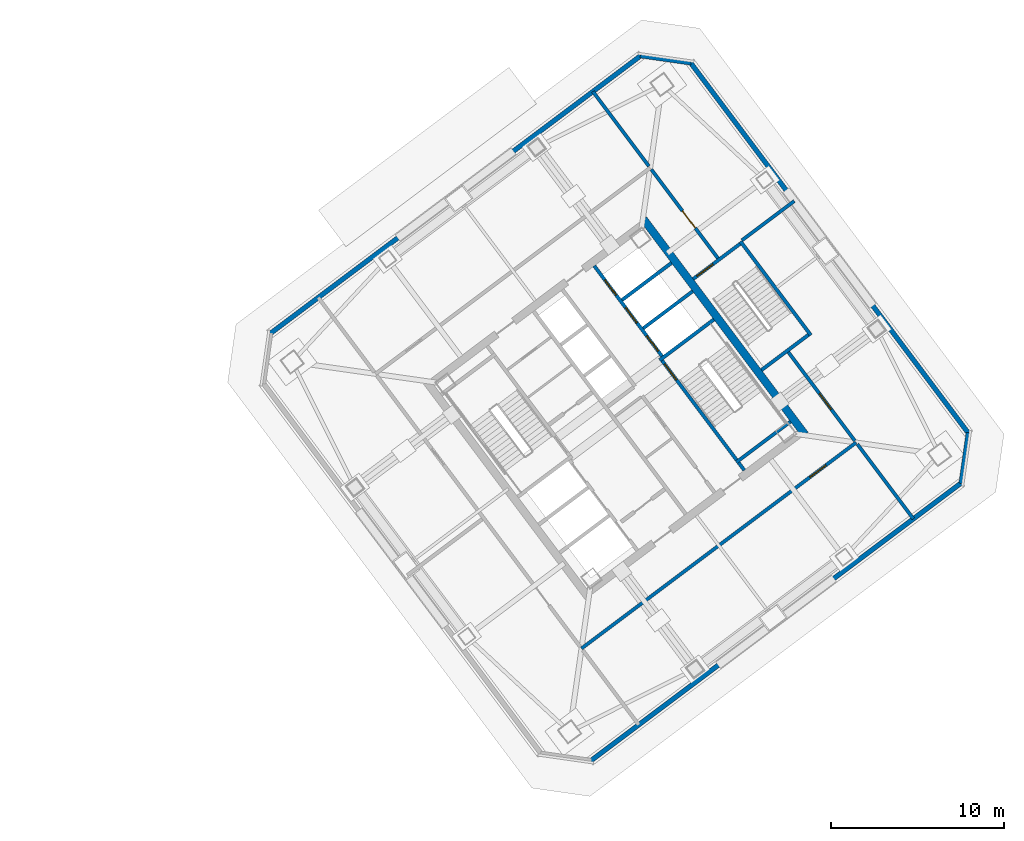
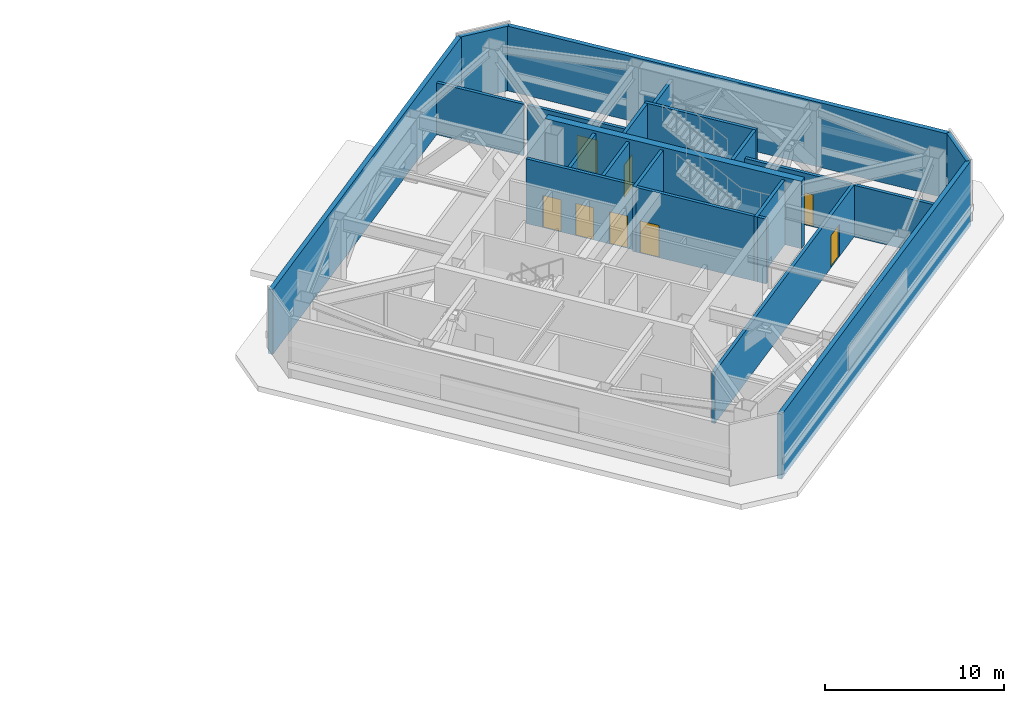
# One storey, part 8 of 15: 21 walls, 8 doors, 8 openings.
"""IFC4 building model written with IfcOpenShell, lengths in metres."""

from ifc_helpers import new_model, si_unit, direction, frame, frame_2d, origin, place, context, subcontext, project, spatial, rectangle, extrude, material, layer, layer_set, type_object, element, fill, save


model = new_model("IFC4")

# Units and contexts
model_context = context("Model", 3, precision=1e-05, world=origin(), true_north=direction((0.0, 1.0)))
body_context = subcontext(model_context, "Body", "Model", "MODEL_VIEW")
ifc_project = project(units=[si_unit("LENGTHUNIT", "METRE"), si_unit("AREAUNIT", "SQUARE_METRE"), si_unit("VOLUMEUNIT", "CUBIC_METRE"), si_unit("PLANEANGLEUNIT", "RADIAN"), si_unit("MASSUNIT", "GRAM", prefix="KILO")], contexts=[model_context])

# Site, building, storey
site_placement = place(None, origin())
site = spatial("IfcSite", under=ifc_project, at=site_placement, CompositionType="ELEMENT")
building_placement = place(site_placement, origin())
building = spatial("IfcBuilding", under=site, at=building_placement, Name="Tashvorn Skyway Center", CompositionType="ELEMENT")
storey_placement = place(building_placement, frame((0.0, 0.0, 199.60009765625)))
storey = spatial("IfcBuildingStorey", under=building, at=storey_placement, Name="L54", CompositionType="ELEMENT", Elevation=199.60009765625)

# Walls
ifc_material_1 = material(Name="Concrete C50/60", Category="concrete")
ifc_layer_1 = layer(ifc_material_1, 0.449951171875)
ifc_layer_set_1 = layer_set([ifc_layer_1], Name="Concrete C50/60")
wall_type_1 = type_object("IfcWallType", Name="WALL-CORE-450", PredefinedType="SHEAR", material=ifc_layer_set_1)
wall_1_placement = place(storey_placement, frame((115.60400390625, 42.952880859375, 0.0), z_axis=(0.0, 0.0, 1.0), x_axis=(0.600005007985, -0.799996243986, 0.0)))
element("IfcWall", 1, at=wall_1_placement, inside=storey, type_object=wall_type_1, Name="Tower 2 L54 East Core Shear Wall", PredefinedType="SHEAR", context=body_context, shape_type="SweptSolid", body=[
    extrude(rectangle(XDim=15.60009765625, YDim=0.449951171875, at=frame_2d((7.800048828125, 0.0))), origin(), (0.0, 0.0, 1.0), 4.599853515625),
])
ifc_material_2 = material(Name="Precast concrete C40/50", Category="concrete")
ifc_layer_2 = layer(ifc_material_2, 0.280029296875)
ifc_layer_set_2 = layer_set([ifc_layer_2], Name="Precast concrete C40/50")
wall_type_2 = type_object("IfcWallType", Name="WALL-EXT-280", PredefinedType="SOLIDWALL", material=ifc_layer_set_2)
for number, where, z_axis, x_axis, name in (
    (2, (134.072021484375, 27.7041015625, 0.0), (0.0, 0.0, 1.0), (-0.800001086674, -0.599998551099, 0.0), "Tower 2 L54 South Mechanical Belt Wall"),
    (3, (93.927978515625, 36.2958984375, 0.0), (0.0, 0.0, 1.0), (0.800001086674, 0.599998551099, 0.0), "Tower 2 L54 North Mechanical Belt Wall"),
    (4, (118.2958984375, 52.072021484375, 0.0), (0.0, 0.0, 1.0), (0.599998551099, -0.800001086674, 0.0), "Tower 2 L54 East Mechanical Belt Wall"),
):
    element("IfcWall", number, at=place(storey_placement, frame(where, z_axis=z_axis, x_axis=x_axis)), inside=storey, type_object=wall_type_2, Name=name, PredefinedType="SOLIDWALL", context=body_context, shape_type="SweptSolid", body=[
        extrude(rectangle(XDim=26.960205078125, YDim=0.280029296875, at=frame_2d((13.47998046875, 0.0))), origin(), (0.0, 0.0, 1.0), 4.419921875),
    ])
for number, where, z_axis, x_axis, name in (
    (5, (115.419921875, 52.43994140625, 0.0), (0.0, 0.0, 1.0), (0.989954425158, -0.14138683146, 0.0), "Tower 2 L54 NE Precast Chamfer Wall"),
    (6, (134.43994140625, 30.580078125, 0.0), (0.0, 0.0, 1.0), (-0.14138683146, -0.989954425158, 0.0), "Tower 2 L54 SE Precast Chamfer Wall"),
):
    element("IfcWall", number, at=place(storey_placement, frame(where, z_axis=z_axis, x_axis=x_axis)), inside=storey, type_object=wall_type_2, Name=name, PredefinedType="SOLIDWALL", context=body_context, shape_type="SweptSolid", body=[
        extrude(rectangle(XDim=2.969970703125, YDim=0.280029296875, at=frame_2d((1.48486328125, 0.0))), origin(), (0.0, 0.0, 1.0), 4.419921875),
    ])
ifc_material_3 = material(Name="Concrete C40/50", Category="concrete")
ifc_layer_3 = layer(ifc_material_3, 0.199951171875)
ifc_layer_set_3 = layer_set([ifc_layer_3], Name="Concrete C40/50")
wall_type_3 = type_object("IfcWallType", Name="WALL-SHAFT-200", PredefinedType="SOLIDWALL", material=ifc_layer_set_3)
for number, where, z_axis, x_axis, name in (
    (7, (115.590087890625, 36.6298828125, 0.0), (0.0, 0.0, 1.0), (0.799975449747, 0.600032732276, 0.0), "Tower 2 L54 High-Rise Shaft Divider"),
    (8, (114.360107421875, 38.27001953125, 0.0), (0.0, 0.0, 1.0), (0.800008183455, 0.599989088572, 0.0), "Tower 2 L54 High-Rise Shaft Divider"),
):
    element("IfcWall", number, at=place(storey_placement, frame(where, z_axis=z_axis, x_axis=x_axis)), inside=storey, type_object=wall_type_3, Name=name, PredefinedType="SOLIDWALL", context=body_context, shape_type="SweptSolid", body=[
        extrude(rectangle(XDim=3.580078125, YDim=0.199951171875, at=frame_2d((1.7900390625, 0.0))), origin(), (0.0, 0.0, 1.0), 4.419921875),
    ])

# Wall, opening, door
wall_2_placement = place(storey_placement, frame((127.929931640625, 30.010009765625, 0.0), z_axis=(0.0, 0.0, 1.0), x_axis=(-0.8, -0.6, 0.0)))
wall_2 = element("IfcWall", 9, at=wall_2_placement, inside=storey, type_object=wall_type_3, Name="Tower 2 L54 Plant Corridor South Wall", PredefinedType="SOLIDWALL", context=body_context, shape_type="SweptSolid", body=[
    extrude(rectangle(XDim=19.89990234375, YDim=0.199951171875, at=frame_2d((9.949951171875, 0.0))), origin(), (0.0, 0.0, 1.0), 3.531005859375),
])
opening_1_placement = place(wall_2_placement, frame((2.199951171875, 0.0, 0.0)))
opening_1 = element("IfcOpeningElement", 10, at=opening_1_placement, cuts=wall_2, Name="Opening D-ST-1150", PredefinedType="OPENING", context=body_context, shape_type="SweptSolid", body=[
    extrude(rectangle(XDim=1.14990234375, YDim=2.199951171875, at=frame_2d((0.574951171875, 1.10009765625))), frame((0.0, 0.10986328125, 0.0), z_axis=(0.0, -1.0, 0.0), x_axis=(1.0, 0.0, 0.0)), (0.0, 0.0, 1.0), 0.219970703125),
])
ifc_material_4 = material(Name="Hollow galvanized steel fire door assembly", Category="steel")
door_type_1 = type_object("IfcDoorType", Name="DOOR-STAIR-1150", OperationType="NOTDEFINED", PredefinedType="DOOR", material=ifc_material_4)
door_1_placement = place(opening_1_placement, origin())
door_1 = element("IfcDoor", 11, at=door_1_placement, inside=storey, type_object=door_type_1, Name="Tower 2 L54 Fan Plant Door", OperationType="SINGLE_SWING_LEFT", OverallHeight=2.199951171875, OverallWidth=1.14990234375, PredefinedType="DOOR", context=body_context, shape_type="SweptSolid", body=[
    extrude(rectangle(XDim=1.14990234375, YDim=2.199951171875, at=frame_2d((0.574951171875, 1.10009765625))), frame((0.0, 0.02490234375, 0.0), z_axis=(0.0, -1.0, 0.0), x_axis=(1.0, 0.0, 0.0)), (0.0, 0.0, 1.0), 0.050048828125),
])
fill(opening_1, door_1)

wall_3_placement = place(storey_placement, frame((116.06201171875, 45.833984375, 0.0), z_axis=(0.0, 0.0, 1.0), x_axis=(0.599987849816, -0.800009112494, 0.0)))
wall_3 = element("IfcWall", 12, at=wall_3_placement, inside=storey, type_object=wall_type_3, Name="Tower 2 L54 Plant Corridor East Wall", PredefinedType="SOLIDWALL", context=body_context, shape_type="SweptSolid", body=[
    extrude(rectangle(XDim=6.429931640625, YDim=0.199951171875, at=frame_2d((3.21484375, 0.0))), origin(), (0.0, 0.0, 1.0), 3.531005859375),
])
opening_2_placement = place(wall_3_placement, frame((3.0, 0.0, 0.0)))
opening_2 = element("IfcOpeningElement", 13, at=opening_2_placement, cuts=wall_3, Name="Opening D-FFL-1250", PredefinedType="OPENING", context=body_context, shape_type="SweptSolid", body=[
    extrude(rectangle(XDim=1.25, YDim=2.25, at=frame_2d((0.625, 1.125))), frame((0.0, 0.10986328125, 0.0), z_axis=(0.0, -1.0, 0.0), x_axis=(1.0, 0.0, 0.0)), (0.0, 0.0, 1.0), 0.219970703125),
])
door_type_2 = type_object("IfcDoorType", Name="DOOR-FFL-1250", OperationType="NOTDEFINED", PredefinedType="DOOR", material=ifc_material_4)
door_2_placement = place(opening_2_placement, origin())
door_2 = element("IfcDoor", 14, at=door_2_placement, inside=storey, type_object=door_type_2, Name="Tower 2 L54 East Refuge Area Door", OperationType="SINGLE_SWING_RIGHT", OverallHeight=2.25, OverallWidth=1.25, PredefinedType="DOOR", context=body_context, shape_type="SweptSolid", body=[
    extrude(rectangle(XDim=1.25, YDim=2.25, at=frame_2d((0.625, 1.125))), frame((0.0, 0.02490234375, 0.0), z_axis=(0.0, -1.0, 0.0), x_axis=(1.0, 0.0, 0.0)), (0.0, 0.0, 1.0), 0.050048828125),
])
fill(opening_2, door_2)

wall_4_placement = place(storey_placement, frame((124.0, 35.25, 0.0), z_axis=(0.0, 0.0, 1.0), x_axis=(0.599987849816, -0.800009112494, 0.0)))
wall_4 = element("IfcWall", 15, at=wall_4_placement, inside=storey, type_object=wall_type_3, Name="Tower 2 L54 Plant Corridor East Wall South", PredefinedType="SOLIDWALL", context=body_context, shape_type="SweptSolid", body=[
    extrude(rectangle(XDim=6.429931640625, YDim=0.199951171875, at=frame_2d((3.21484375, 0.0))), origin(), (0.0, 0.0, 1.0), 3.531005859375),
])
opening_3_placement = place(wall_4_placement, frame((3.0, 0.0, 0.0)))
opening_3 = element("IfcOpeningElement", 16, at=opening_3_placement, cuts=wall_4, Name="Opening D-ST-1150", PredefinedType="OPENING", context=body_context, shape_type="SweptSolid", body=[
    extrude(rectangle(XDim=1.14990234375, YDim=2.199951171875, at=frame_2d((0.574951171875, 1.10009765625))), frame((0.0, 0.10986328125, 0.0), z_axis=(0.0, -1.0, 0.0), x_axis=(1.0, 0.0, 0.0)), (0.0, 0.0, 1.0), 0.219970703125),
])
door_3_placement = place(opening_3_placement, origin())
door_3 = element("IfcDoor", 17, at=door_3_placement, inside=storey, type_object=door_type_1, Name="Tower 2 L54 Switchgear Plant Door", OperationType="SINGLE_SWING_LEFT", OverallHeight=2.199951171875, OverallWidth=1.14990234375, PredefinedType="DOOR", context=body_context, shape_type="SweptSolid", body=[
    extrude(rectangle(XDim=1.14990234375, YDim=2.199951171875, at=frame_2d((0.574951171875, 1.10009765625))), frame((0.0, 0.02490234375, 0.0), z_axis=(0.0, -1.0, 0.0), x_axis=(1.0, 0.0, 0.0)), (0.0, 0.0, 1.0), 0.050048828125),
])
fill(opening_3, door_3)

# Walls
wall_5_placement = place(storey_placement, frame((115.91796875, 46.02587890625, 0.0), z_axis=(0.0, 0.0, 1.0), x_axis=(-0.599971117961, 0.800021660715, 0.0)))
element("IfcWall", 18, at=wall_5_placement, inside=storey, type_object=wall_type_3, Name="Tower 2 L54 Plant Radial NE", PredefinedType="SOLIDWALL", context=body_context, shape_type="SweptSolid", body=[
    extrude(rectangle(XDim=5.409912109375, YDim=0.199951171875, at=frame_2d((2.705078125, 0.0))), origin(), (0.0, 0.0, 1.0), 3.531005859375),
])
wall_6_placement = place(storey_placement, frame((128.001953125, 29.9140625, 0.0), z_axis=(0.0, 0.0, 1.0), x_axis=(0.6, -0.8, 0.0)))
element("IfcWall", 19, at=wall_6_placement, inside=storey, type_object=wall_type_3, Name="Tower 2 L54 Plant Radial SE", PredefinedType="SOLIDWALL", context=body_context, shape_type="SweptSolid", body=[
    extrude(rectangle(XDim=5.41015625, YDim=0.199951171875, at=frame_2d((2.705078125, 0.0))), origin(), (0.0, 0.0, 1.0), 3.531005859375),
])
wall_7_placement = place(storey_placement, frame((121.303955078125, 41.72802734375, 0.0), z_axis=(0.0, 0.0, 1.0), x_axis=(0.8, 0.6, 0.0)))
element("IfcWall", 20, at=wall_7_placement, inside=storey, type_object=wall_type_3, Name="Tower 2 L54 Refuge East Fire Wall", PredefinedType="SOLIDWALL", context=body_context, shape_type="SweptSolid", body=[
    extrude(rectangle(XDim=3.800048828125, YDim=0.199951171875, at=frame_2d((1.89990234375, 0.0))), origin(), (0.0, 0.0, 1.0), 3.531005859375),
])

# Wall, opening, door
ifc_layer_4 = layer(ifc_material_3, 0.199951171875)
ifc_layer_set_4 = layer_set([ifc_layer_4], Name="Concrete C40/50")
wall_type_4 = type_object("IfcWallType", Name="WALL-STSHF-200", PredefinedType="SHEAR", material=ifc_layer_set_4)
wall_8_placement = place(storey_placement, frame((116.56005859375, 34.919921875, 0.0), z_axis=(0.0, 0.0, 1.0), x_axis=(0.59999041401, -0.800007189403, 0.0)))
wall_8 = element("IfcWall", 21, at=wall_8_placement, inside=storey, type_object=wall_type_4, Name="Tower 2 L54 Stair 2 Enclosure Wall", PredefinedType="SHEAR", context=body_context, shape_type="SweptSolid", body=[
    extrude(rectangle(XDim=8.14990234375, YDim=0.199951171875, at=frame_2d((4.074951171875, 0.0))), origin(), (0.0, 0.0, 1.0), 4.419921875),
])
opening_4_placement = place(wall_8_placement, frame((0.449951171875, 0.0, 0.0)))
opening_4 = element("IfcOpeningElement", 22, at=opening_4_placement, cuts=wall_8, Name="Opening D-ST-1150", PredefinedType="OPENING", context=body_context, shape_type="SweptSolid", body=[
    extrude(rectangle(XDim=1.14990234375, YDim=2.199951171875, at=frame_2d((0.574951171875, 1.10009765625))), frame((0.0, 0.10986328125, 0.0), z_axis=(0.0, -1.0, 0.0), x_axis=(1.0, 0.0, 0.0)), (0.0, 0.0, 1.0), 0.219970703125),
])
door_4_placement = place(opening_4_placement, origin())
door_4 = element("IfcDoor", 23, at=door_4_placement, inside=storey, type_object=door_type_1, Name="Tower 2 L54 Exit Stair 2 Door", OperationType="SINGLE_SWING_RIGHT", OverallHeight=2.199951171875, OverallWidth=1.14990234375, PredefinedType="DOOR", context=body_context, shape_type="SweptSolid", body=[
    extrude(rectangle(XDim=1.14990234375, YDim=2.199951171875, at=frame_2d((0.574951171875, 1.10009765625))), frame((0.0, 0.02490234375, 0.0), z_axis=(0.0, -1.0, 0.0), x_axis=(1.0, 0.0, 0.0)), (0.0, 0.0, 1.0), 0.050048828125),
])
fill(opening_4, door_4)

# Walls
for number, where, z_axis, x_axis, name in (
    (24, (116.5400390625, 34.780029296875, 0.0), (0.0, 0.0, 1.0), (0.800014909178, 0.599980120581, 0.0), "Tower 2 L54 Stair 2 North Wall"),
    (25, (120.97998046875, 28.860107421875, 0.0), (0.0, 0.0, 1.0), (0.800014909178, 0.599980120581, 0.0), "Tower 2 L54 Stair 2 South Wall"),
):
    element("IfcWall", number, at=place(storey_placement, frame(where, z_axis=z_axis, x_axis=x_axis)), inside=storey, type_object=wall_type_4, Name=name, PredefinedType="SHEAR", context=body_context, shape_type="SweptSolid", body=[
        extrude(rectangle(XDim=3.929931640625, YDim=0.199951171875, at=frame_2d((1.96484375, 0.0))), origin(), (0.0, 0.0, 1.0), 4.419921875),
    ])

# Wall, openings, doors
wall_9_placement = place(storey_placement, frame((112.75, 40.25, 0.0), z_axis=(0.0, 0.0, 1.0), x_axis=(0.599994036198, -0.800004472816, 0.0)))
wall_9 = element("IfcWall", 26, at=wall_9_placement, inside=storey, type_object=wall_type_4, Name="Tower 2 L54 High-Rise Lift Shaft Front Wall", PredefinedType="SHEAR", context=body_context, shape_type="SweptSolid", body=[
    extrude(rectangle(XDim=6.550048828125, YDim=0.199951171875, at=frame_2d((3.27490234375, 0.0))), origin(), (0.0, 0.0, 1.0), 4.419921875),
])
opening_5_placement = place(wall_9_placement, frame((5.074951171875, 0.0, 0.0)))
opening_5 = element("IfcOpeningElement", 27, at=opening_5_placement, cuts=wall_9, Name="Opening LD-HR-T2-1-L54", PredefinedType="OPENING", context=body_context, shape_type="SweptSolid", body=[
    extrude(rectangle(XDim=1.10009765625, YDim=2.199951171875, at=frame_2d((0.550048828125, 1.10009765625))), frame((0.0, 0.10986328125, 0.0), z_axis=(0.0, -1.0, 0.0), x_axis=(1.0, 0.0, 0.0)), (0.0, 0.0, 1.0), 0.219970703125),
])
opening_6_placement = place(wall_9_placement, frame((3.02490234375, 0.0, 0.0)))
opening_6 = element("IfcOpeningElement", 28, at=opening_6_placement, cuts=wall_9, Name="Opening LD-HR-T2-2-L54", PredefinedType="OPENING", context=body_context, shape_type="SweptSolid", body=[
    extrude(rectangle(XDim=1.10009765625, YDim=2.199951171875, at=frame_2d((0.550048828125, 1.10009765625))), frame((0.0, 0.10986328125, 0.0), z_axis=(0.0, -1.0, 0.0), x_axis=(1.0, 0.0, 0.0)), (0.0, 0.0, 1.0), 0.219970703125),
])
opening_7_placement = place(wall_9_placement, frame((1.02490234375, 0.0, 0.0)))
opening_7 = element("IfcOpeningElement", 29, at=opening_7_placement, cuts=wall_9, Name="Opening LD-HR-T2-3-L54", PredefinedType="OPENING", context=body_context, shape_type="SweptSolid", body=[
    extrude(rectangle(XDim=1.10009765625, YDim=2.199951171875, at=frame_2d((0.550048828125, 1.10009765625))), frame((0.0, 0.10986328125, 0.0), z_axis=(0.0, -1.0, 0.0), x_axis=(1.0, 0.0, 0.0)), (0.0, 0.0, 1.0), 0.219970703125),
])
ifc_material_5 = material(Name="Stainless steel landing door", Category="steel")
door_type_3 = type_object("IfcDoorType", Name="DOOR-LIFT-1100", OperationType="SLIDING_TO_LEFT", PredefinedType="DOOR", material=ifc_material_5)
door_5_placement = place(opening_5_placement, origin())
door_5 = element("IfcDoor", 30, at=door_5_placement, inside=storey, type_object=door_type_3, Name="Lift HR-T2-1 L54 Landing Door", OperationType="SLIDING_TO_LEFT", OverallHeight=2.199951171875, OverallWidth=1.10009765625, PredefinedType="DOOR", context=body_context, shape_type="SweptSolid", body=[
    extrude(rectangle(XDim=1.10009765625, YDim=2.199951171875, at=frame_2d((0.550048828125, 1.10009765625))), frame((0.0, 0.02490234375, 0.0), z_axis=(0.0, -1.0, 0.0), x_axis=(1.0, 0.0, 0.0)), (0.0, 0.0, 1.0), 0.050048828125),
])
fill(opening_5, door_5)
door_6_placement = place(opening_6_placement, origin())
door_6 = element("IfcDoor", 31, at=door_6_placement, inside=storey, type_object=door_type_3, Name="Lift HR-T2-2 L54 Landing Door", OperationType="SLIDING_TO_LEFT", OverallHeight=2.199951171875, OverallWidth=1.10009765625, PredefinedType="DOOR", context=body_context, shape_type="SweptSolid", body=[
    extrude(rectangle(XDim=1.10009765625, YDim=2.199951171875, at=frame_2d((0.550048828125, 1.10009765625))), frame((0.0, 0.02490234375, 0.0), z_axis=(0.0, -1.0, 0.0), x_axis=(1.0, 0.0, 0.0)), (0.0, 0.0, 1.0), 0.050048828125),
])
fill(opening_6, door_6)
door_7_placement = place(opening_7_placement, origin())
door_7 = element("IfcDoor", 32, at=door_7_placement, inside=storey, type_object=door_type_3, Name="Lift HR-T2-3 L54 Landing Door", OperationType="SLIDING_TO_LEFT", OverallHeight=2.199951171875, OverallWidth=1.10009765625, PredefinedType="DOOR", context=body_context, shape_type="SweptSolid", body=[
    extrude(rectangle(XDim=1.10009765625, YDim=2.199951171875, at=frame_2d((0.550048828125, 1.10009765625))), frame((0.0, 0.02490234375, 0.0), z_axis=(0.0, -1.0, 0.0), x_axis=(1.0, 0.0, 0.0)), (0.0, 0.0, 1.0), 0.050048828125),
])
fill(opening_7, door_7)

# Wall
wall_10_placement = place(storey_placement, frame((125.303955078125, 36.22802734375, 0.0), z_axis=(0.0, 0.0, 1.0), x_axis=(-0.59998851072, 0.800008616831, 0.0)))
element("IfcWall", 33, at=wall_10_placement, inside=storey, type_object=wall_type_4, Name="Tower 2 L54 Stair 3 Outer Wall", PredefinedType="SHEAR", context=body_context, shape_type="SweptSolid", body=[
    extrude(rectangle(XDim=6.7998046875, YDim=0.199951171875, at=frame_2d((3.39990234375, 0.0))), origin(), (0.0, 0.0, 1.0), 4.419921875),
])

# Wall, opening, door
wall_11_placement = place(storey_placement, frame((121.2041015625, 41.528076171875, 0.0), z_axis=(0.0, 0.0, 1.0), x_axis=(-0.800017232136, -0.599977023131, 0.0)))
wall_11 = element("IfcWall", 34, at=wall_11_placement, inside=storey, type_object=wall_type_4, Name="Tower 2 L54 Stair 3 Enclosure Wall", PredefinedType="SHEAR", context=body_context, shape_type="SweptSolid", body=[
    extrude(rectangle(XDim=3.400146484375, YDim=0.199951171875, at=frame_2d((1.7001953125, 0.0))), origin(), (0.0, 0.0, 1.0), 4.419921875),
])
opening_8_placement = place(wall_11_placement, frame((1.97509765625, 0.0, 0.0)))
opening_8 = element("IfcOpeningElement", 35, at=opening_8_placement, cuts=wall_11, Name="Opening D-ST-1150", PredefinedType="OPENING", context=body_context, shape_type="SweptSolid", body=[
    extrude(rectangle(XDim=1.14990234375, YDim=2.199951171875, at=frame_2d((0.574951171875, 1.10009765625))), frame((0.0, 0.10986328125, 0.0), z_axis=(0.0, -1.0, 0.0), x_axis=(1.0, 0.0, 0.0)), (0.0, 0.0, 1.0), 0.219970703125),
])
door_8_placement = place(opening_8_placement, origin())
door_8 = element("IfcDoor", 36, at=door_8_placement, inside=storey, type_object=door_type_1, Name="Tower 2 L54 Exit Stair 3 Door", OperationType="SINGLE_SWING_RIGHT", OverallHeight=2.199951171875, OverallWidth=1.14990234375, PredefinedType="DOOR", context=body_context, shape_type="SweptSolid", body=[
    extrude(rectangle(XDim=1.14990234375, YDim=2.199951171875, at=frame_2d((0.574951171875, 1.10009765625))), frame((0.0, 0.02490234375, 0.0), z_axis=(0.0, -1.0, 0.0), x_axis=(1.0, 0.0, 0.0)), (0.0, 0.0, 1.0), 0.050048828125),
])
fill(opening_8, door_8)

# Wall
wall_12_placement = place(storey_placement, frame((122.444091796875, 34.2080078125, 0.0), z_axis=(0.0, 0.0, 1.0), x_axis=(0.79999138319, 0.600011488909, 0.0)))
element("IfcWall", 37, at=wall_12_placement, inside=storey, type_object=wall_type_4, Name="Tower 2 L54 Stair 3 South Wall", PredefinedType="SHEAR", context=body_context, shape_type="SweptSolid", body=[
    extrude(rectangle(XDim=3.39990234375, YDim=0.199951171875, at=frame_2d((1.699951171875, 0.0))), origin(), (0.0, 0.0, 1.0), 4.419921875),
])

save(model, "model.ifc")
